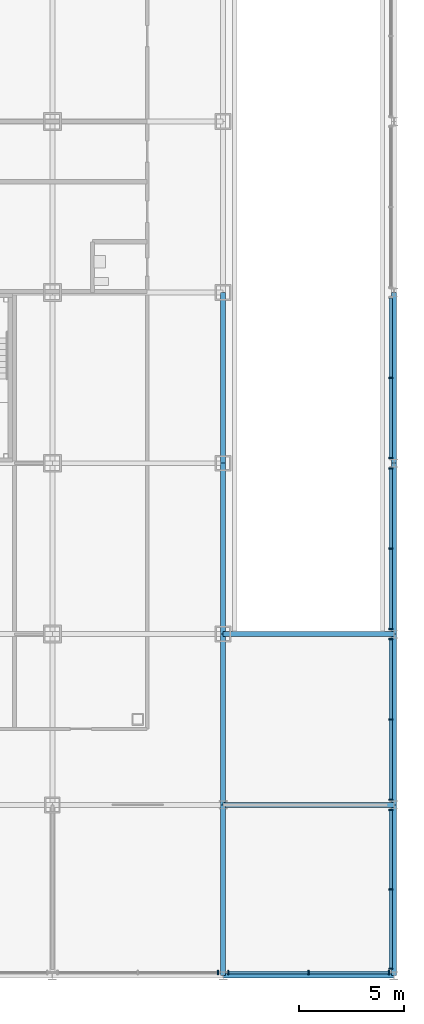
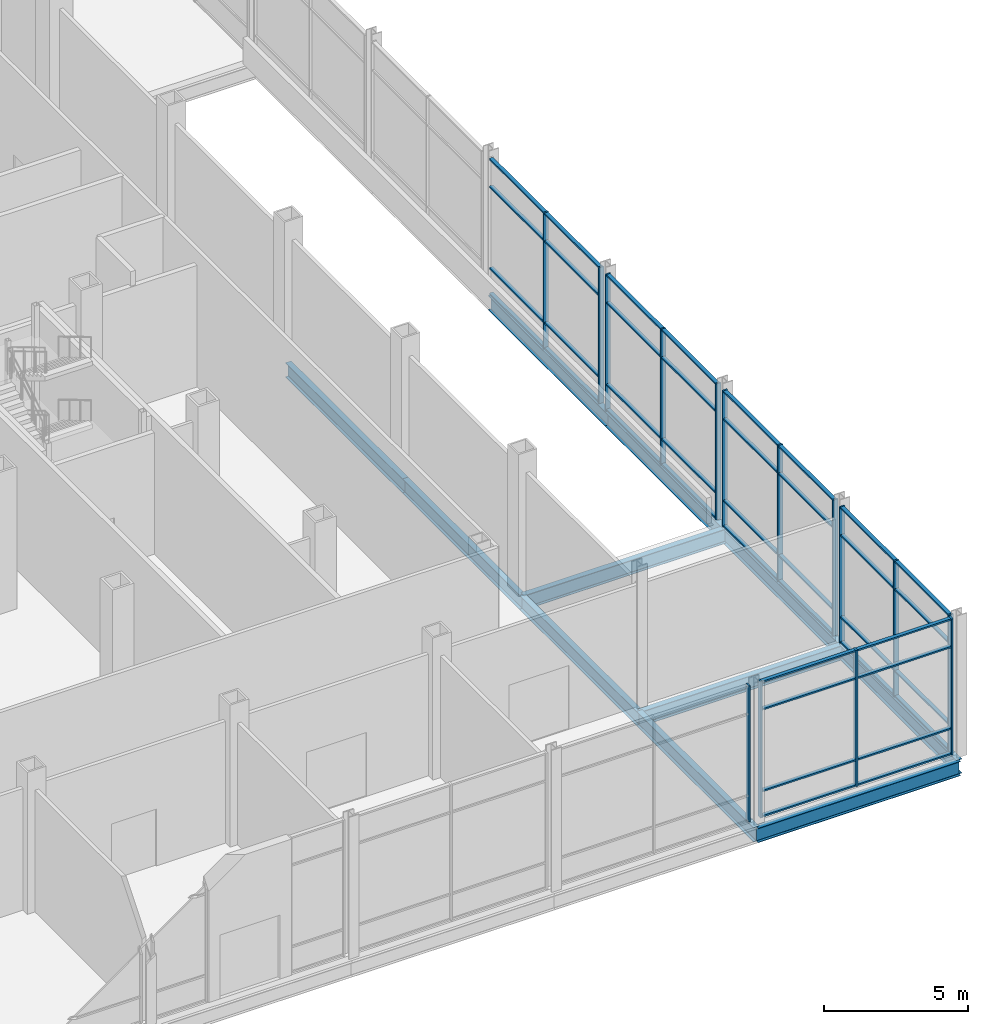
# One storey, part 17 of 35: 55 members, 11 beams, 6 elements without a shape of their own.
"""IFC4 building model written with IfcOpenShell, lengths in metres."""

from ifc_helpers import new_model, si_unit, direction, frame, origin, origin_2d, place, context, subcontext, project, spatial, rectangle, i_section, extrude, material, material_profile, profile_set, type_object, element, aggregate, save


model = new_model("IFC4")

# Units and contexts
model_context = context("Model", 3, precision=1e-05, world=origin(), true_north=direction((0.0, 1.0)))
body_context = subcontext(model_context, "Body", "Model", "MODEL_VIEW")
ifc_project = project(units=[si_unit("LENGTHUNIT", "METRE"), si_unit("AREAUNIT", "SQUARE_METRE"), si_unit("VOLUMEUNIT", "CUBIC_METRE"), si_unit("PLANEANGLEUNIT", "RADIAN"), si_unit("MASSUNIT", "GRAM", prefix="KILO")], contexts=[model_context])

# Site, building, storey
site_placement = place(None, origin())
site = spatial("IfcSite", under=ifc_project, at=site_placement, CompositionType="ELEMENT")
building_placement = place(site_placement, origin())
building = spatial("IfcBuilding", under=site, at=building_placement, Name="Kopane Lantern Tower", CompositionType="ELEMENT")
storey_placement = place(building_placement, origin())
storey = spatial("IfcBuildingStorey", under=building, at=storey_placement, Name="L00", CompositionType="ELEMENT", Elevation=0.0)

# Beams
ifc_material_1 = material(Name="Steel S355JR", Category="steel")
ifc_material_profile_1 = material_profile(ifc_material_1, i_section(OverallWidth=0.22900390625, OverallDepth=0.6123046875, WebThickness=0.011962890625, FlangeThickness=0.01953125, FilletRadius=0.0126953125, at=origin_2d()), Name="UB 610x229x125")
ifc_profile_set_1 = profile_set([ifc_material_profile_1], Name="Steel S355JR")
beam_type = type_object("IfcBeamType", Name="GIRDER UB 610x229x125", PredefinedType="BEAM", material=ifc_profile_set_1)
for number, where, z_axis, x_axis, name in (
    (1, (56.699951171875, -8.10009765625, -0.55615234375), (0.0, 1.0, 0.0), (-1.0, 0.0, 0.0), "Girder L00"),
    (2, (56.699951171875, -8.10009765625, -0.55615234375), (1.0, 0.0, 0.0), (0.0, 1.0, 0.0), "Girder L00"),
    (3, (56.699951171875, 0.0, -0.55615234375), (0.0, 1.0, 0.0), (-1.0, 0.0, 0.0), "Girder L00"),
    (4, (56.699951171875, 0.0, -0.55615234375), (1.0, 0.0, 0.0), (0.0, 1.0, 0.0), "Girder L00"),
):
    element("IfcBeam", number, at=place(storey_placement, frame(where, z_axis=z_axis, x_axis=x_axis)), inside=storey, type_object=beam_type, Name=name, PredefinedType="BEAM", context=body_context, shape_type="SweptSolid", body=[
        extrude(i_section(OverallWidth=0.22900390625, OverallDepth=0.6123046875, WebThickness=0.011962890625, FlangeThickness=0.01953125, FilletRadius=0.0126953125, at=origin_2d()), origin(), (0.0, 0.0, 1.0), 8.10009765625),
    ])
beam_1_placement = place(storey_placement, frame((56.699951171875, 8.10009765625, -0.55615234375), z_axis=(0.0, 1.0, 0.0), x_axis=(-1.0, 0.0, 0.0)))
element("IfcBeam", 5, at=beam_1_placement, inside=storey, type_object=beam_type, Name="Girder L00", PredefinedType="BEAM", context=body_context, shape_type="SweptSolid", body=[
    extrude(i_section(OverallWidth=0.22900390625, OverallDepth=0.6123046875, WebThickness=0.011962890625, FlangeThickness=0.01953125, FilletRadius=0.0126953125, at=origin_2d()), origin(), (0.0, 0.0, 1.0), 8.099853515625),
])
for number, where, z_axis, x_axis, name in (
    (6, (56.699951171875, 8.10009765625, -0.55615234375), (1.0, 0.0, 0.0), (0.0, 1.0, 0.0), "Girder L00"),
    (7, (56.699951171875, 16.199951171875, -0.55615234375), (0.0, 1.0, 0.0), (-1.0, 0.0, 0.0), "Girder L00"),
    (8, (64.800048828125, -8.10009765625, -0.55615234375), (0.0, 1.0, 0.0), (-1.0, 0.0, 0.0), "Girder L00"),
    (9, (64.800048828125, 0.0, -0.55615234375), (0.0, 1.0, 0.0), (-1.0, 0.0, 0.0), "Girder L00"),
):
    element("IfcBeam", number, at=place(storey_placement, frame(where, z_axis=z_axis, x_axis=x_axis)), inside=storey, type_object=beam_type, Name=name, PredefinedType="BEAM", context=body_context, shape_type="SweptSolid", body=[
        extrude(i_section(OverallWidth=0.22900390625, OverallDepth=0.6123046875, WebThickness=0.011962890625, FlangeThickness=0.01953125, FilletRadius=0.0126953125, at=origin_2d()), origin(), (0.0, 0.0, 1.0), 8.10009765625),
    ])
beam_2_placement = place(storey_placement, frame((64.800048828125, 8.10009765625, -0.55615234375), z_axis=(0.0, 1.0, 0.0), x_axis=(-1.0, 0.0, 0.0)))
element("IfcBeam", 10, at=beam_2_placement, inside=storey, type_object=beam_type, Name="Girder L00", PredefinedType="BEAM", context=body_context, shape_type="SweptSolid", body=[
    extrude(i_section(OverallWidth=0.22900390625, OverallDepth=0.6123046875, WebThickness=0.011962890625, FlangeThickness=0.01953125, FilletRadius=0.0126953125, at=origin_2d()), origin(), (0.0, 0.0, 1.0), 8.099853515625),
])
beam_3_placement = place(storey_placement, frame((64.800048828125, 16.199951171875, -0.55615234375), z_axis=(0.0, 1.0, 0.0), x_axis=(-1.0, 0.0, 0.0)))
element("IfcBeam", 11, at=beam_3_placement, inside=storey, type_object=beam_type, Name="Girder L00", PredefinedType="BEAM", context=body_context, shape_type="SweptSolid", body=[
    extrude(i_section(OverallWidth=0.22900390625, OverallDepth=0.6123046875, WebThickness=0.011962890625, FlangeThickness=0.01953125, FilletRadius=0.0126953125, at=origin_2d()), origin(), (0.0, 0.0, 1.0), 8.10009765625),
])

# Curtain wall, member
ifc_material_2 = material(Name="Aluminium and clear glass", Category="aluminium")
curtain_wall_type = type_object("IfcCurtainWallType", Name="CURTAIN WALL CW1 PODIUM STOREFRONT", PredefinedType="USERDEFINED", material=ifc_material_2)
curtain_wall_1_placement = place(storey_placement, origin())
curtain_wall_1 = element("IfcCurtainWall", 12, at=curtain_wall_1_placement, inside=storey, type_object=curtain_wall_type, Name="Curtain wall CW1 S L00", ObjectType="CURTAIN WALL", PredefinedType="USERDEFINED")
ifc_material_3 = material(Name="Aluminium", Category="aluminium")
ifc_material_profile_2 = material_profile(ifc_material_3, rectangle(XDim=0.06494140625, YDim=0.199951171875, at=origin_2d()), Name="AL 65x200")
ifc_profile_set_2 = profile_set([ifc_material_profile_2], Name="Aluminium")
member_type_1 = type_object("IfcMemberType", Name="MULLION CW1-M 65x200", PredefinedType="MULLION", material=ifc_profile_set_2)
member_1_placement = place(storey_placement, frame((56.4609375, -7.949951171875, 0.0), z_axis=(0.0, 0.0, 1.0), x_axis=(1.0, 0.0, 0.0)))
member_1 = element("IfcMember", 13, at=member_1_placement, type_object=member_type_1, Name="CW1 mullion 3", PredefinedType="MULLION", context=body_context, shape_type="SweptSolid", body=[
    extrude(rectangle(XDim=0.06494140625, YDim=0.199951171875, at=origin_2d()), origin(), (0.0, 0.0, 1.0), 5.75),
])
aggregate(curtain_wall_1, [member_1])

# Curtain wall, members
curtain_wall_2_placement = place(storey_placement, origin())
curtain_wall_2 = element("IfcCurtainWall", 14, at=curtain_wall_2_placement, inside=storey, type_object=curtain_wall_type, Name="Curtain wall CW1 S L00", ObjectType="CURTAIN WALL", PredefinedType="USERDEFINED")
member_2_placement = place(storey_placement, frame((56.93896484375, -7.949951171875, 0.0), z_axis=(0.0, 0.0, 1.0), x_axis=(1.0, 0.0, 0.0)))
member_2 = element("IfcMember", 15, at=member_2_placement, type_object=member_type_1, Name="CW1 mullion 1", PredefinedType="MULLION", context=body_context, shape_type="SweptSolid", body=[
    extrude(rectangle(XDim=0.06494140625, YDim=0.199951171875, at=origin_2d()), origin(), (0.0, 0.0, 1.0), 5.75),
])
member_3_placement = place(storey_placement, frame((60.75, -7.949951171875, 0.0), z_axis=(0.0, 0.0, 1.0), x_axis=(1.0, 0.0, 0.0)))
member_3 = element("IfcMember", 16, at=member_3_placement, type_object=member_type_1, Name="CW1 mullion 2", PredefinedType="MULLION", context=body_context, shape_type="SweptSolid", body=[
    extrude(rectangle(XDim=0.06494140625, YDim=0.199951171875, at=origin_2d()), origin(), (0.0, 0.0, 1.0), 5.75),
])
member_4_placement = place(storey_placement, frame((64.56103515625, -7.949951171875, 0.0), z_axis=(0.0, 0.0, 1.0), x_axis=(1.0, 0.0, 0.0)))
member_4 = element("IfcMember", 17, at=member_4_placement, type_object=member_type_1, Name="CW1 mullion 3", PredefinedType="MULLION", context=body_context, shape_type="SweptSolid", body=[
    extrude(rectangle(XDim=0.06494140625, YDim=0.199951171875, at=origin_2d()), origin(), (0.0, 0.0, 1.0), 5.75),
])

curtain_wall_3_placement = place(storey_placement, origin())
curtain_wall_3 = element("IfcCurtainWall", 18, at=curtain_wall_3_placement, inside=storey, type_object=curtain_wall_type, Name="Curtain wall CW1 E L00", ObjectType="CURTAIN WALL", PredefinedType="USERDEFINED")
member_5_placement = place(storey_placement, frame((64.64990234375, -7.767578125, 0.0), z_axis=(0.0, 0.0, 1.0), x_axis=(0.0, 1.0, 0.0)))
member_5 = element("IfcMember", 19, at=member_5_placement, type_object=member_type_1, Name="CW1 mullion 1", PredefinedType="MULLION", context=body_context, shape_type="SweptSolid", body=[
    extrude(rectangle(XDim=0.06494140625, YDim=0.199951171875, at=origin_2d()), origin(), (0.0, 0.0, 1.0), 5.75),
])
member_6_placement = place(storey_placement, frame((64.64990234375, -4.004150390625, 0.0), z_axis=(0.0, 0.0, 1.0), x_axis=(0.0, 1.0, 0.0)))
member_6 = element("IfcMember", 20, at=member_6_placement, type_object=member_type_1, Name="CW1 mullion 2", PredefinedType="MULLION", context=body_context, shape_type="SweptSolid", body=[
    extrude(rectangle(XDim=0.06494140625, YDim=0.199951171875, at=origin_2d()), origin(), (0.0, 0.0, 1.0), 5.75),
])
member_7_placement = place(storey_placement, frame((64.64990234375, -0.24072265625, 0.0), z_axis=(0.0, 0.0, 1.0), x_axis=(0.0, 1.0, 0.0)))
member_7 = element("IfcMember", 21, at=member_7_placement, type_object=member_type_1, Name="CW1 mullion 3", PredefinedType="MULLION", context=body_context, shape_type="SweptSolid", body=[
    extrude(rectangle(XDim=0.06494140625, YDim=0.199951171875, at=origin_2d()), origin(), (0.0, 0.0, 1.0), 5.75),
])

curtain_wall_4_placement = place(storey_placement, origin())
curtain_wall_4 = element("IfcCurtainWall", 22, at=curtain_wall_4_placement, inside=storey, type_object=curtain_wall_type, Name="Curtain wall CW1 E L00", ObjectType="CURTAIN WALL", PredefinedType="USERDEFINED")
member_8_placement = place(storey_placement, frame((64.64990234375, 0.24072265625, 0.0), z_axis=(0.0, 0.0, 1.0), x_axis=(0.0, 1.0, 0.0)))
member_8 = element("IfcMember", 23, at=member_8_placement, type_object=member_type_1, Name="CW1 mullion 1", PredefinedType="MULLION", context=body_context, shape_type="SweptSolid", body=[
    extrude(rectangle(XDim=0.06494140625, YDim=0.199951171875, at=origin_2d()), origin(), (0.0, 0.0, 1.0), 5.75),
])
member_9_placement = place(storey_placement, frame((64.64990234375, 4.050048828125, 0.0), z_axis=(0.0, 0.0, 1.0), x_axis=(0.0, 1.0, 0.0)))
member_9 = element("IfcMember", 24, at=member_9_placement, type_object=member_type_1, Name="CW1 mullion 2", PredefinedType="MULLION", context=body_context, shape_type="SweptSolid", body=[
    extrude(rectangle(XDim=0.06494140625, YDim=0.199951171875, at=origin_2d()), origin(), (0.0, 0.0, 1.0), 5.75),
])
member_10_placement = place(storey_placement, frame((64.64990234375, 7.859375, 0.0), z_axis=(0.0, 0.0, 1.0), x_axis=(0.0, 1.0, 0.0)))
member_10 = element("IfcMember", 25, at=member_10_placement, type_object=member_type_1, Name="CW1 mullion 3", PredefinedType="MULLION", context=body_context, shape_type="SweptSolid", body=[
    extrude(rectangle(XDim=0.06494140625, YDim=0.199951171875, at=origin_2d()), origin(), (0.0, 0.0, 1.0), 5.75),
])

curtain_wall_5_placement = place(storey_placement, origin())
curtain_wall_5 = element("IfcCurtainWall", 26, at=curtain_wall_5_placement, inside=storey, type_object=curtain_wall_type, Name="Curtain wall CW1 E L00", ObjectType="CURTAIN WALL", PredefinedType="USERDEFINED")
member_11_placement = place(storey_placement, frame((64.64990234375, 8.3408203125, 0.0), z_axis=(0.0, 0.0, 1.0), x_axis=(0.0, 1.0, 0.0)))
member_11 = element("IfcMember", 27, at=member_11_placement, type_object=member_type_1, Name="CW1 mullion 1", PredefinedType="MULLION", context=body_context, shape_type="SweptSolid", body=[
    extrude(rectangle(XDim=0.06494140625, YDim=0.199951171875, at=origin_2d()), origin(), (0.0, 0.0, 1.0), 5.75),
])
member_12_placement = place(storey_placement, frame((64.64990234375, 12.14990234375, 0.0), z_axis=(0.0, 0.0, 1.0), x_axis=(0.0, 1.0, 0.0)))
member_12 = element("IfcMember", 28, at=member_12_placement, type_object=member_type_1, Name="CW1 mullion 2", PredefinedType="MULLION", context=body_context, shape_type="SweptSolid", body=[
    extrude(rectangle(XDim=0.06494140625, YDim=0.199951171875, at=origin_2d()), origin(), (0.0, 0.0, 1.0), 5.75),
])
member_13_placement = place(storey_placement, frame((64.64990234375, 15.959228515625, 0.0), z_axis=(0.0, 0.0, 1.0), x_axis=(0.0, 1.0, 0.0)))
member_13 = element("IfcMember", 29, at=member_13_placement, type_object=member_type_1, Name="CW1 mullion 3", PredefinedType="MULLION", context=body_context, shape_type="SweptSolid", body=[
    extrude(rectangle(XDim=0.06494140625, YDim=0.199951171875, at=origin_2d()), origin(), (0.0, 0.0, 1.0), 5.75),
])

curtain_wall_6_placement = place(storey_placement, origin())
curtain_wall_6 = element("IfcCurtainWall", 30, at=curtain_wall_6_placement, inside=storey, type_object=curtain_wall_type, Name="Curtain wall CW1 E L00", ObjectType="CURTAIN WALL", PredefinedType="USERDEFINED")
member_14_placement = place(storey_placement, frame((64.64990234375, 16.440673828125, 0.0), z_axis=(0.0, 0.0, 1.0), x_axis=(0.0, 1.0, 0.0)))
member_14 = element("IfcMember", 31, at=member_14_placement, type_object=member_type_1, Name="CW1 mullion 1", PredefinedType="MULLION", context=body_context, shape_type="SweptSolid", body=[
    extrude(rectangle(XDim=0.06494140625, YDim=0.199951171875, at=origin_2d()), origin(), (0.0, 0.0, 1.0), 5.75),
])
member_15_placement = place(storey_placement, frame((64.64990234375, 20.25, 0.0), z_axis=(0.0, 0.0, 1.0), x_axis=(0.0, 1.0, 0.0)))
member_15 = element("IfcMember", 32, at=member_15_placement, type_object=member_type_1, Name="CW1 mullion 2", PredefinedType="MULLION", context=body_context, shape_type="SweptSolid", body=[
    extrude(rectangle(XDim=0.06494140625, YDim=0.199951171875, at=origin_2d()), origin(), (0.0, 0.0, 1.0), 5.75),
])

# Member
ifc_material_4 = material(Name="Aluminium", Category="aluminium")
ifc_material_profile_3 = material_profile(ifc_material_4, rectangle(XDim=0.14990234375, YDim=0.06494140625, at=origin_2d()), Name="AL 150x65")
ifc_profile_set_3 = profile_set([ifc_material_profile_3], Name="Aluminium")
member_type_2 = type_object("IfcMemberType", Name="TRANSOM CW1-T 65x150", PredefinedType="USERDEFINED", material=ifc_profile_set_3)
member_16_placement = place(storey_placement, frame((56.971435546875, -7.949951171875, 0.032470703125), z_axis=(1.0, 0.0, 0.0), x_axis=(0.0, 1.0, 0.0)))
member_16 = element("IfcMember", 33, at=member_16_placement, type_object=member_type_2, Name="CW1 transom 1.1", ObjectType="TRANSOM", PredefinedType="USERDEFINED", context=body_context, shape_type="SweptSolid", body=[
    extrude(rectangle(XDim=0.14990234375, YDim=0.06494140625, at=origin_2d()), origin(), (0.0, 0.0, 1.0), 3.74609375),
])

member_17_placement = place(storey_placement, frame((56.971435546875, -7.949951171875, 1.10009765625), z_axis=(1.0, 0.0, 0.0), x_axis=(0.0, 1.0, 0.0)))
member_17 = element("IfcMember", 34, at=member_17_placement, type_object=member_type_2, Name="CW1 transom 1.2", ObjectType="TRANSOM", PredefinedType="USERDEFINED", context=body_context, shape_type="SweptSolid", body=[
    extrude(rectangle(XDim=0.14990234375, YDim=0.06494140625, at=origin_2d()), origin(), (0.0, 0.0, 1.0), 3.74609375),
])

member_18_placement = place(storey_placement, frame((56.971435546875, -7.949951171875, 4.550048828125), z_axis=(1.0, 0.0, 0.0), x_axis=(0.0, 1.0, 0.0)))
member_18 = element("IfcMember", 35, at=member_18_placement, type_object=member_type_2, Name="CW1 transom 1.3", ObjectType="TRANSOM", PredefinedType="USERDEFINED", context=body_context, shape_type="SweptSolid", body=[
    extrude(rectangle(XDim=0.14990234375, YDim=0.06494140625, at=origin_2d()), origin(), (0.0, 0.0, 1.0), 3.74609375),
])

member_19_placement = place(storey_placement, frame((56.971435546875, -7.949951171875, 5.717529296875), z_axis=(1.0, 0.0, 0.0), x_axis=(0.0, 1.0, 0.0)))
member_19 = element("IfcMember", 36, at=member_19_placement, type_object=member_type_2, Name="CW1 transom 1.4", ObjectType="TRANSOM", PredefinedType="USERDEFINED", context=body_context, shape_type="SweptSolid", body=[
    extrude(rectangle(XDim=0.14990234375, YDim=0.06494140625, at=origin_2d()), origin(), (0.0, 0.0, 1.0), 3.74609375),
])

member_20_placement = place(storey_placement, frame((60.782470703125, -7.949951171875, 0.032470703125), z_axis=(1.0, 0.0, 0.0), x_axis=(0.0, 1.0, 0.0)))
member_20 = element("IfcMember", 37, at=member_20_placement, type_object=member_type_2, Name="CW1 transom 2.1", ObjectType="TRANSOM", PredefinedType="USERDEFINED", context=body_context, shape_type="SweptSolid", body=[
    extrude(rectangle(XDim=0.14990234375, YDim=0.06494140625, at=origin_2d()), origin(), (0.0, 0.0, 1.0), 3.74609375),
])

member_21_placement = place(storey_placement, frame((60.782470703125, -7.949951171875, 1.10009765625), z_axis=(1.0, 0.0, 0.0), x_axis=(0.0, 1.0, 0.0)))
member_21 = element("IfcMember", 38, at=member_21_placement, type_object=member_type_2, Name="CW1 transom 2.2", ObjectType="TRANSOM", PredefinedType="USERDEFINED", context=body_context, shape_type="SweptSolid", body=[
    extrude(rectangle(XDim=0.14990234375, YDim=0.06494140625, at=origin_2d()), origin(), (0.0, 0.0, 1.0), 3.74609375),
])

member_22_placement = place(storey_placement, frame((60.782470703125, -7.949951171875, 4.550048828125), z_axis=(1.0, 0.0, 0.0), x_axis=(0.0, 1.0, 0.0)))
member_22 = element("IfcMember", 39, at=member_22_placement, type_object=member_type_2, Name="CW1 transom 2.3", ObjectType="TRANSOM", PredefinedType="USERDEFINED", context=body_context, shape_type="SweptSolid", body=[
    extrude(rectangle(XDim=0.14990234375, YDim=0.06494140625, at=origin_2d()), origin(), (0.0, 0.0, 1.0), 3.74609375),
])

member_23_placement = place(storey_placement, frame((60.782470703125, -7.949951171875, 5.717529296875), z_axis=(1.0, 0.0, 0.0), x_axis=(0.0, 1.0, 0.0)))
member_23 = element("IfcMember", 40, at=member_23_placement, type_object=member_type_2, Name="CW1 transom 2.4", ObjectType="TRANSOM", PredefinedType="USERDEFINED", context=body_context, shape_type="SweptSolid", body=[
    extrude(rectangle(XDim=0.14990234375, YDim=0.06494140625, at=origin_2d()), origin(), (0.0, 0.0, 1.0), 3.74609375),
])

aggregate(curtain_wall_2, [member_2, member_3, member_4, member_16, member_17, member_18, member_19, member_20, member_21, member_22, member_23])

member_24_placement = place(storey_placement, frame((64.64990234375, -7.735107421875, 0.032470703125), z_axis=(0.0, 1.0, 0.0), x_axis=(-1.0, 0.0, 0.0)))
member_24 = element("IfcMember", 41, at=member_24_placement, type_object=member_type_2, Name="CW1 transom 1.1", ObjectType="TRANSOM", PredefinedType="USERDEFINED", context=body_context, shape_type="SweptSolid", body=[
    extrude(rectangle(XDim=0.14990234375, YDim=0.06494140625, at=origin_2d()), origin(), (0.0, 0.0, 1.0), 3.698486328125),
])

member_25_placement = place(storey_placement, frame((64.64990234375, -7.735107421875, 1.10009765625), z_axis=(0.0, 1.0, 0.0), x_axis=(-1.0, 0.0, 0.0)))
member_25 = element("IfcMember", 42, at=member_25_placement, type_object=member_type_2, Name="CW1 transom 1.2", ObjectType="TRANSOM", PredefinedType="USERDEFINED", context=body_context, shape_type="SweptSolid", body=[
    extrude(rectangle(XDim=0.14990234375, YDim=0.06494140625, at=origin_2d()), origin(), (0.0, 0.0, 1.0), 3.698486328125),
])

member_26_placement = place(storey_placement, frame((64.64990234375, -7.735107421875, 4.550048828125), z_axis=(0.0, 1.0, 0.0), x_axis=(-1.0, 0.0, 0.0)))
member_26 = element("IfcMember", 43, at=member_26_placement, type_object=member_type_2, Name="CW1 transom 1.3", ObjectType="TRANSOM", PredefinedType="USERDEFINED", context=body_context, shape_type="SweptSolid", body=[
    extrude(rectangle(XDim=0.14990234375, YDim=0.06494140625, at=origin_2d()), origin(), (0.0, 0.0, 1.0), 3.698486328125),
])

member_27_placement = place(storey_placement, frame((64.64990234375, -7.735107421875, 5.717529296875), z_axis=(0.0, 1.0, 0.0), x_axis=(-1.0, 0.0, 0.0)))
member_27 = element("IfcMember", 44, at=member_27_placement, type_object=member_type_2, Name="CW1 transom 1.4", ObjectType="TRANSOM", PredefinedType="USERDEFINED", context=body_context, shape_type="SweptSolid", body=[
    extrude(rectangle(XDim=0.14990234375, YDim=0.06494140625, at=origin_2d()), origin(), (0.0, 0.0, 1.0), 3.698486328125),
])

member_28_placement = place(storey_placement, frame((64.64990234375, -3.9716796875, 0.032470703125), z_axis=(0.0, 1.0, 0.0), x_axis=(-1.0, 0.0, 0.0)))
member_28 = element("IfcMember", 45, at=member_28_placement, type_object=member_type_2, Name="CW1 transom 2.1", ObjectType="TRANSOM", PredefinedType="USERDEFINED", context=body_context, shape_type="SweptSolid", body=[
    extrude(rectangle(XDim=0.14990234375, YDim=0.06494140625, at=origin_2d()), origin(), (0.0, 0.0, 1.0), 3.698486328125),
])

member_29_placement = place(storey_placement, frame((64.64990234375, -3.9716796875, 1.10009765625), z_axis=(0.0, 1.0, 0.0), x_axis=(-1.0, 0.0, 0.0)))
member_29 = element("IfcMember", 46, at=member_29_placement, type_object=member_type_2, Name="CW1 transom 2.2", ObjectType="TRANSOM", PredefinedType="USERDEFINED", context=body_context, shape_type="SweptSolid", body=[
    extrude(rectangle(XDim=0.14990234375, YDim=0.06494140625, at=origin_2d()), origin(), (0.0, 0.0, 1.0), 3.698486328125),
])

member_30_placement = place(storey_placement, frame((64.64990234375, -3.9716796875, 4.550048828125), z_axis=(0.0, 1.0, 0.0), x_axis=(-1.0, 0.0, 0.0)))
member_30 = element("IfcMember", 47, at=member_30_placement, type_object=member_type_2, Name="CW1 transom 2.3", ObjectType="TRANSOM", PredefinedType="USERDEFINED", context=body_context, shape_type="SweptSolid", body=[
    extrude(rectangle(XDim=0.14990234375, YDim=0.06494140625, at=origin_2d()), origin(), (0.0, 0.0, 1.0), 3.698486328125),
])

member_31_placement = place(storey_placement, frame((64.64990234375, -3.9716796875, 5.717529296875), z_axis=(0.0, 1.0, 0.0), x_axis=(-1.0, 0.0, 0.0)))
member_31 = element("IfcMember", 48, at=member_31_placement, type_object=member_type_2, Name="CW1 transom 2.4", ObjectType="TRANSOM", PredefinedType="USERDEFINED", context=body_context, shape_type="SweptSolid", body=[
    extrude(rectangle(XDim=0.14990234375, YDim=0.06494140625, at=origin_2d()), origin(), (0.0, 0.0, 1.0), 3.698486328125),
])

aggregate(curtain_wall_3, [member_5, member_6, member_7, member_24, member_25, member_26, member_27, member_28, member_29, member_30, member_31])

member_32_placement = place(storey_placement, frame((64.64990234375, 0.273193359375, 0.032470703125), z_axis=(0.0, 1.0, 0.0), x_axis=(-1.0, 0.0, 0.0)))
member_32 = element("IfcMember", 49, at=member_32_placement, type_object=member_type_2, Name="CW1 transom 1.1", ObjectType="TRANSOM", PredefinedType="USERDEFINED", context=body_context, shape_type="SweptSolid", body=[
    extrude(rectangle(XDim=0.14990234375, YDim=0.06494140625, at=origin_2d()), origin(), (0.0, 0.0, 1.0), 3.744384765625),
])

member_33_placement = place(storey_placement, frame((64.64990234375, 0.273193359375, 1.10009765625), z_axis=(0.0, 1.0, 0.0), x_axis=(-1.0, 0.0, 0.0)))
member_33 = element("IfcMember", 50, at=member_33_placement, type_object=member_type_2, Name="CW1 transom 1.2", ObjectType="TRANSOM", PredefinedType="USERDEFINED", context=body_context, shape_type="SweptSolid", body=[
    extrude(rectangle(XDim=0.14990234375, YDim=0.06494140625, at=origin_2d()), origin(), (0.0, 0.0, 1.0), 3.744384765625),
])

member_34_placement = place(storey_placement, frame((64.64990234375, 0.273193359375, 4.550048828125), z_axis=(0.0, 1.0, 0.0), x_axis=(-1.0, 0.0, 0.0)))
member_34 = element("IfcMember", 51, at=member_34_placement, type_object=member_type_2, Name="CW1 transom 1.3", ObjectType="TRANSOM", PredefinedType="USERDEFINED", context=body_context, shape_type="SweptSolid", body=[
    extrude(rectangle(XDim=0.14990234375, YDim=0.06494140625, at=origin_2d()), origin(), (0.0, 0.0, 1.0), 3.744384765625),
])

member_35_placement = place(storey_placement, frame((64.64990234375, 0.273193359375, 5.717529296875), z_axis=(0.0, 1.0, 0.0), x_axis=(-1.0, 0.0, 0.0)))
member_35 = element("IfcMember", 52, at=member_35_placement, type_object=member_type_2, Name="CW1 transom 1.4", ObjectType="TRANSOM", PredefinedType="USERDEFINED", context=body_context, shape_type="SweptSolid", body=[
    extrude(rectangle(XDim=0.14990234375, YDim=0.06494140625, at=origin_2d()), origin(), (0.0, 0.0, 1.0), 3.744384765625),
])

member_36_placement = place(storey_placement, frame((64.64990234375, 4.08251953125, 0.032470703125), z_axis=(0.0, 1.0, 0.0), x_axis=(-1.0, 0.0, 0.0)))
member_36 = element("IfcMember", 53, at=member_36_placement, type_object=member_type_2, Name="CW1 transom 2.1", ObjectType="TRANSOM", PredefinedType="USERDEFINED", context=body_context, shape_type="SweptSolid", body=[
    extrude(rectangle(XDim=0.14990234375, YDim=0.06494140625, at=origin_2d()), origin(), (0.0, 0.0, 1.0), 3.744384765625),
])

member_37_placement = place(storey_placement, frame((64.64990234375, 4.08251953125, 1.10009765625), z_axis=(0.0, 1.0, 0.0), x_axis=(-1.0, 0.0, 0.0)))
member_37 = element("IfcMember", 54, at=member_37_placement, type_object=member_type_2, Name="CW1 transom 2.2", ObjectType="TRANSOM", PredefinedType="USERDEFINED", context=body_context, shape_type="SweptSolid", body=[
    extrude(rectangle(XDim=0.14990234375, YDim=0.06494140625, at=origin_2d()), origin(), (0.0, 0.0, 1.0), 3.744384765625),
])

member_38_placement = place(storey_placement, frame((64.64990234375, 4.08251953125, 4.550048828125), z_axis=(0.0, 1.0, 0.0), x_axis=(-1.0, 0.0, 0.0)))
member_38 = element("IfcMember", 55, at=member_38_placement, type_object=member_type_2, Name="CW1 transom 2.3", ObjectType="TRANSOM", PredefinedType="USERDEFINED", context=body_context, shape_type="SweptSolid", body=[
    extrude(rectangle(XDim=0.14990234375, YDim=0.06494140625, at=origin_2d()), origin(), (0.0, 0.0, 1.0), 3.744384765625),
])

member_39_placement = place(storey_placement, frame((64.64990234375, 4.08251953125, 5.717529296875), z_axis=(0.0, 1.0, 0.0), x_axis=(-1.0, 0.0, 0.0)))
member_39 = element("IfcMember", 56, at=member_39_placement, type_object=member_type_2, Name="CW1 transom 2.4", ObjectType="TRANSOM", PredefinedType="USERDEFINED", context=body_context, shape_type="SweptSolid", body=[
    extrude(rectangle(XDim=0.14990234375, YDim=0.06494140625, at=origin_2d()), origin(), (0.0, 0.0, 1.0), 3.744384765625),
])

aggregate(curtain_wall_4, [member_8, member_9, member_10, member_32, member_33, member_34, member_35, member_36, member_37, member_38, member_39])

member_40_placement = place(storey_placement, frame((64.64990234375, 8.373291015625, 0.032470703125), z_axis=(0.0, 1.0, 0.0), x_axis=(-1.0, 0.0, 0.0)))
member_40 = element("IfcMember", 57, at=member_40_placement, type_object=member_type_2, Name="CW1 transom 1.1", ObjectType="TRANSOM", PredefinedType="USERDEFINED", context=body_context, shape_type="SweptSolid", body=[
    extrude(rectangle(XDim=0.14990234375, YDim=0.06494140625, at=origin_2d()), origin(), (0.0, 0.0, 1.0), 3.744140625),
])

member_41_placement = place(storey_placement, frame((64.64990234375, 8.373291015625, 1.10009765625), z_axis=(0.0, 1.0, 0.0), x_axis=(-1.0, 0.0, 0.0)))
member_41 = element("IfcMember", 58, at=member_41_placement, type_object=member_type_2, Name="CW1 transom 1.2", ObjectType="TRANSOM", PredefinedType="USERDEFINED", context=body_context, shape_type="SweptSolid", body=[
    extrude(rectangle(XDim=0.14990234375, YDim=0.06494140625, at=origin_2d()), origin(), (0.0, 0.0, 1.0), 3.744140625),
])

member_42_placement = place(storey_placement, frame((64.64990234375, 8.373291015625, 4.550048828125), z_axis=(0.0, 1.0, 0.0), x_axis=(-1.0, 0.0, 0.0)))
member_42 = element("IfcMember", 59, at=member_42_placement, type_object=member_type_2, Name="CW1 transom 1.3", ObjectType="TRANSOM", PredefinedType="USERDEFINED", context=body_context, shape_type="SweptSolid", body=[
    extrude(rectangle(XDim=0.14990234375, YDim=0.06494140625, at=origin_2d()), origin(), (0.0, 0.0, 1.0), 3.744140625),
])

member_43_placement = place(storey_placement, frame((64.64990234375, 8.373291015625, 5.717529296875), z_axis=(0.0, 1.0, 0.0), x_axis=(-1.0, 0.0, 0.0)))
member_43 = element("IfcMember", 60, at=member_43_placement, type_object=member_type_2, Name="CW1 transom 1.4", ObjectType="TRANSOM", PredefinedType="USERDEFINED", context=body_context, shape_type="SweptSolid", body=[
    extrude(rectangle(XDim=0.14990234375, YDim=0.06494140625, at=origin_2d()), origin(), (0.0, 0.0, 1.0), 3.744140625),
])

member_44_placement = place(storey_placement, frame((64.64990234375, 12.1826171875, 0.032470703125), z_axis=(0.0, 1.0, 0.0), x_axis=(-1.0, 0.0, 0.0)))
member_44 = element("IfcMember", 61, at=member_44_placement, type_object=member_type_2, Name="CW1 transom 2.1", ObjectType="TRANSOM", PredefinedType="USERDEFINED", context=body_context, shape_type="SweptSolid", body=[
    extrude(rectangle(XDim=0.14990234375, YDim=0.06494140625, at=origin_2d()), origin(), (0.0, 0.0, 1.0), 3.744140625),
])

member_45_placement = place(storey_placement, frame((64.64990234375, 12.1826171875, 1.10009765625), z_axis=(0.0, 1.0, 0.0), x_axis=(-1.0, 0.0, 0.0)))
member_45 = element("IfcMember", 62, at=member_45_placement, type_object=member_type_2, Name="CW1 transom 2.2", ObjectType="TRANSOM", PredefinedType="USERDEFINED", context=body_context, shape_type="SweptSolid", body=[
    extrude(rectangle(XDim=0.14990234375, YDim=0.06494140625, at=origin_2d()), origin(), (0.0, 0.0, 1.0), 3.744140625),
])

member_46_placement = place(storey_placement, frame((64.64990234375, 12.1826171875, 4.550048828125), z_axis=(0.0, 1.0, 0.0), x_axis=(-1.0, 0.0, 0.0)))
member_46 = element("IfcMember", 63, at=member_46_placement, type_object=member_type_2, Name="CW1 transom 2.3", ObjectType="TRANSOM", PredefinedType="USERDEFINED", context=body_context, shape_type="SweptSolid", body=[
    extrude(rectangle(XDim=0.14990234375, YDim=0.06494140625, at=origin_2d()), origin(), (0.0, 0.0, 1.0), 3.744140625),
])

member_47_placement = place(storey_placement, frame((64.64990234375, 12.1826171875, 5.717529296875), z_axis=(0.0, 1.0, 0.0), x_axis=(-1.0, 0.0, 0.0)))
member_47 = element("IfcMember", 64, at=member_47_placement, type_object=member_type_2, Name="CW1 transom 2.4", ObjectType="TRANSOM", PredefinedType="USERDEFINED", context=body_context, shape_type="SweptSolid", body=[
    extrude(rectangle(XDim=0.14990234375, YDim=0.06494140625, at=origin_2d()), origin(), (0.0, 0.0, 1.0), 3.744140625),
])

aggregate(curtain_wall_5, [member_11, member_12, member_13, member_40, member_41, member_42, member_43, member_44, member_45, member_46, member_47])

member_48_placement = place(storey_placement, frame((64.64990234375, 16.47314453125, 0.032470703125), z_axis=(0.0, 1.0, 0.0), x_axis=(-1.0, 0.0, 0.0)))
member_48 = element("IfcMember", 65, at=member_48_placement, type_object=member_type_2, Name="CW1 transom 1.1", ObjectType="TRANSOM", PredefinedType="USERDEFINED", context=body_context, shape_type="SweptSolid", body=[
    extrude(rectangle(XDim=0.14990234375, YDim=0.06494140625, at=origin_2d()), origin(), (0.0, 0.0, 1.0), 3.744384765625),
])

member_49_placement = place(storey_placement, frame((64.64990234375, 16.47314453125, 1.10009765625), z_axis=(0.0, 1.0, 0.0), x_axis=(-1.0, 0.0, 0.0)))
member_49 = element("IfcMember", 66, at=member_49_placement, type_object=member_type_2, Name="CW1 transom 1.2", ObjectType="TRANSOM", PredefinedType="USERDEFINED", context=body_context, shape_type="SweptSolid", body=[
    extrude(rectangle(XDim=0.14990234375, YDim=0.06494140625, at=origin_2d()), origin(), (0.0, 0.0, 1.0), 3.744384765625),
])

member_50_placement = place(storey_placement, frame((64.64990234375, 16.47314453125, 4.550048828125), z_axis=(0.0, 1.0, 0.0), x_axis=(-1.0, 0.0, 0.0)))
member_50 = element("IfcMember", 67, at=member_50_placement, type_object=member_type_2, Name="CW1 transom 1.3", ObjectType="TRANSOM", PredefinedType="USERDEFINED", context=body_context, shape_type="SweptSolid", body=[
    extrude(rectangle(XDim=0.14990234375, YDim=0.06494140625, at=origin_2d()), origin(), (0.0, 0.0, 1.0), 3.744384765625),
])

member_51_placement = place(storey_placement, frame((64.64990234375, 16.47314453125, 5.717529296875), z_axis=(0.0, 1.0, 0.0), x_axis=(-1.0, 0.0, 0.0)))
member_51 = element("IfcMember", 68, at=member_51_placement, type_object=member_type_2, Name="CW1 transom 1.4", ObjectType="TRANSOM", PredefinedType="USERDEFINED", context=body_context, shape_type="SweptSolid", body=[
    extrude(rectangle(XDim=0.14990234375, YDim=0.06494140625, at=origin_2d()), origin(), (0.0, 0.0, 1.0), 3.744384765625),
])

member_52_placement = place(storey_placement, frame((64.64990234375, 20.282470703125, 0.032470703125), z_axis=(0.0, 1.0, 0.0), x_axis=(-1.0, 0.0, 0.0)))
member_52 = element("IfcMember", 69, at=member_52_placement, type_object=member_type_2, Name="CW1 transom 2.1", ObjectType="TRANSOM", PredefinedType="USERDEFINED", context=body_context, shape_type="SweptSolid", body=[
    extrude(rectangle(XDim=0.14990234375, YDim=0.06494140625, at=origin_2d()), origin(), (0.0, 0.0, 1.0), 3.744384765625),
])

member_53_placement = place(storey_placement, frame((64.64990234375, 20.282470703125, 1.10009765625), z_axis=(0.0, 1.0, 0.0), x_axis=(-1.0, 0.0, 0.0)))
member_53 = element("IfcMember", 70, at=member_53_placement, type_object=member_type_2, Name="CW1 transom 2.2", ObjectType="TRANSOM", PredefinedType="USERDEFINED", context=body_context, shape_type="SweptSolid", body=[
    extrude(rectangle(XDim=0.14990234375, YDim=0.06494140625, at=origin_2d()), origin(), (0.0, 0.0, 1.0), 3.744384765625),
])

member_54_placement = place(storey_placement, frame((64.64990234375, 20.282470703125, 4.550048828125), z_axis=(0.0, 1.0, 0.0), x_axis=(-1.0, 0.0, 0.0)))
member_54 = element("IfcMember", 71, at=member_54_placement, type_object=member_type_2, Name="CW1 transom 2.3", ObjectType="TRANSOM", PredefinedType="USERDEFINED", context=body_context, shape_type="SweptSolid", body=[
    extrude(rectangle(XDim=0.14990234375, YDim=0.06494140625, at=origin_2d()), origin(), (0.0, 0.0, 1.0), 3.744384765625),
])

member_55_placement = place(storey_placement, frame((64.64990234375, 20.282470703125, 5.717529296875), z_axis=(0.0, 1.0, 0.0), x_axis=(-1.0, 0.0, 0.0)))
member_55 = element("IfcMember", 72, at=member_55_placement, type_object=member_type_2, Name="CW1 transom 2.4", ObjectType="TRANSOM", PredefinedType="USERDEFINED", context=body_context, shape_type="SweptSolid", body=[
    extrude(rectangle(XDim=0.14990234375, YDim=0.06494140625, at=origin_2d()), origin(), (0.0, 0.0, 1.0), 3.744384765625),
])

aggregate(curtain_wall_6, [member_14, member_15, member_48, member_49, member_50, member_51, member_52, member_53, member_54, member_55])

save(model, "model.ifc")
